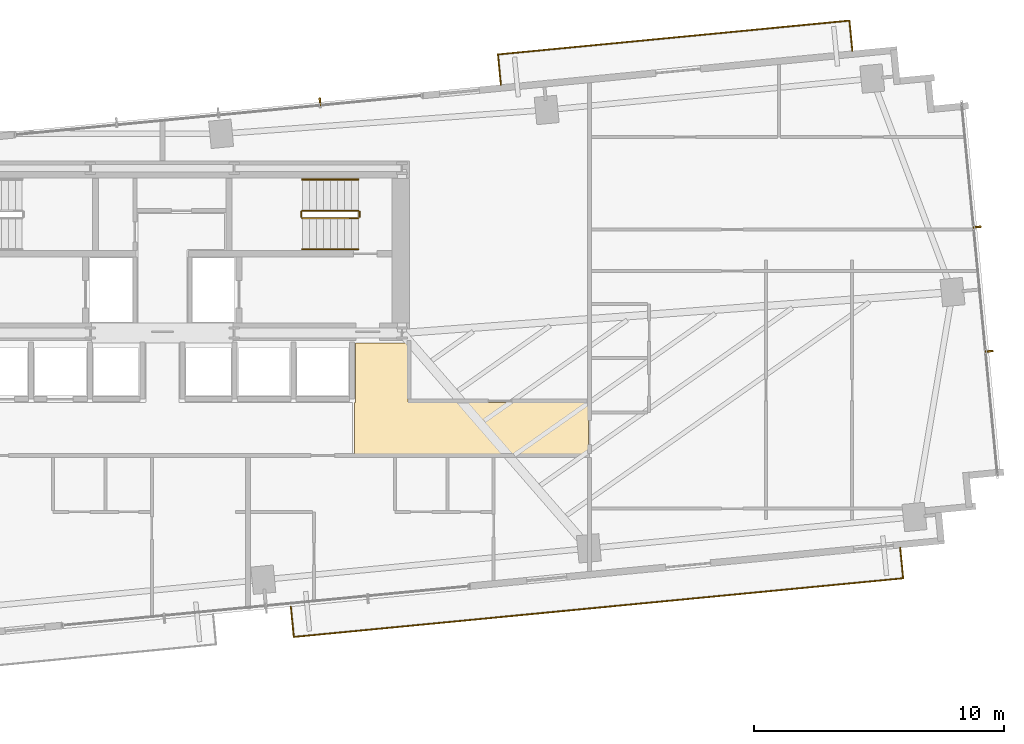
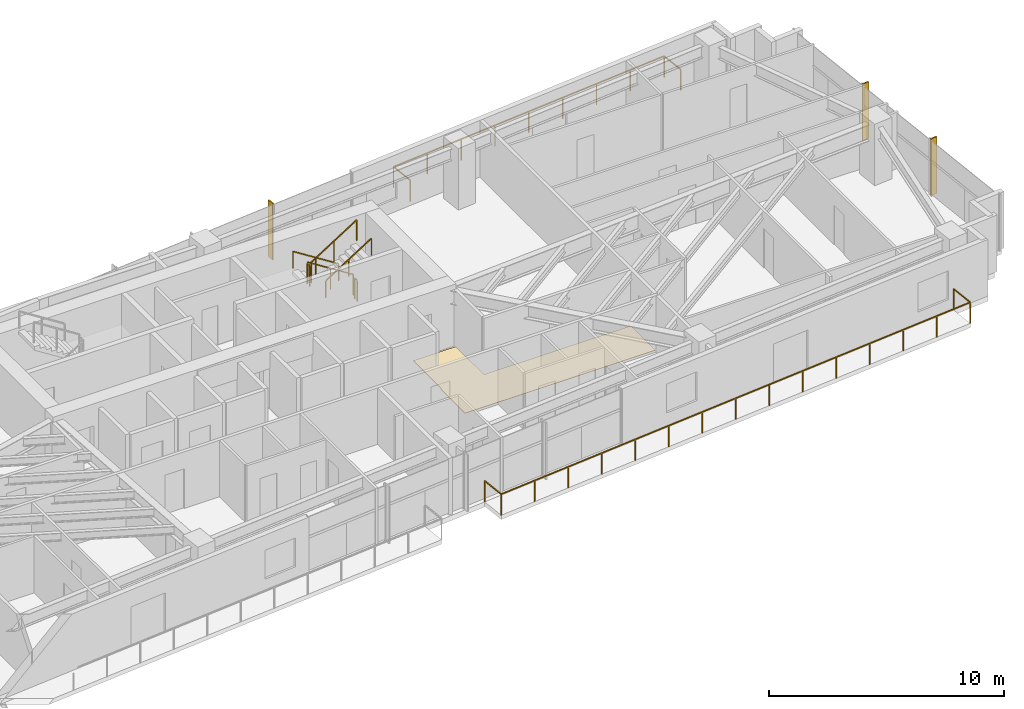
# One storey, part 27 of 27: 8 railings, 3 shading devices, 1 covering.
"""IFC4 building model written with IfcOpenShell, lengths in metres."""

from ifc_helpers import new_model, si_unit, direction, frame, origin, origin_2d, place, context, subcontext, project, spatial, polyline, rectangle, outline, extrude, source, transform, mapped, material, layer, layer_set, type_object, type_shapes, element, save


model = new_model("IFC4")

# Units and contexts
model_context = context("Model", 3, precision=1e-05, world=origin(), true_north=direction((0.0, 1.0)))
body_context = subcontext(model_context, "Body", "Model", "MODEL_VIEW")
ifc_project = project(units=[si_unit("LENGTHUNIT", "METRE"), si_unit("AREAUNIT", "SQUARE_METRE"), si_unit("VOLUMEUNIT", "CUBIC_METRE"), si_unit("PLANEANGLEUNIT", "RADIAN"), si_unit("MASSUNIT", "GRAM", prefix="KILO")], contexts=[model_context])

# Site, building, storey
site_placement = place(None, origin())
site = spatial("IfcSite", under=ifc_project, at=site_placement, CompositionType="ELEMENT")
building_placement = place(site_placement, origin())
building = spatial("IfcBuilding", under=site, at=building_placement, Name="Astriad Promenade Condominiums", CompositionType="ELEMENT")
storey_placement = place(building_placement, frame((0.0, 0.0, 90.60009765625)))
storey = spatial("IfcBuildingStorey", under=building, at=storey_placement, Name="L25", CompositionType="ELEMENT", Elevation=90.60009765625)

# Covering
ifc_material_1 = material(Name="Polished Lakefront Terrazzo Flooring")
ifc_layer = layer(ifc_material_1, 0.02001953125)
ifc_layer_set = layer_set([ifc_layer], Name="Polished Lakefront Terrazzo Flooring")
covering_type = type_object("IfcCoveringType", Name="COV-FLOR-TERRAZZO-20", PredefinedType="FLOORING", material=ifc_layer_set)
covering_placement = place(storey_placement, origin())
element("IfcCovering", 1, at=covering_placement, inside=storey, type_object=covering_type, Name="FLR-L25-COR-1", PredefinedType="FLOORING", context=body_context, shape_type="SweptSolid", body=[
    extrude(outline(polyline([(43.699951171875, 12.530029296875), (43.699951171875, 14.610107421875), (43.703857421875, 14.610107421875), (43.707763671875, 14.61083984375), (43.711669921875, 14.61181640625), (43.71533203125, 14.613037109375), (43.718994140625, 14.61474609375), (43.72216796875, 14.61669921875), (43.725341796875, 14.619140625), (43.728271484375, 14.62158203125), (43.73095703125, 14.62451171875), (43.7333984375, 14.627685546875), (43.7353515625, 14.631103515625), (43.737060546875, 14.634765625), (43.73828125, 14.638427734375), (43.7392578125, 14.64208984375), (43.73974609375, 14.64599609375), (43.739990234375, 14.64990234375), (43.739990234375, 17.010009765625), (45.840087890625, 17.010009765625), (45.840087890625, 14.659912109375), (45.840087890625, 14.656005859375), (45.8408203125, 14.652099609375), (45.841796875, 14.6484375), (45.843017578125, 14.644775390625), (45.8447265625, 14.64111328125), (45.8466796875, 14.6376953125), (45.84912109375, 14.634521484375), (45.851806640625, 14.631591796875), (45.8544921875, 14.629150390625), (45.85791015625, 14.626708984375), (45.861083984375, 14.624755859375), (45.86474609375, 14.623046875), (45.868408203125, 14.62158203125), (45.872314453125, 14.620849609375), (45.876220703125, 14.6201171875), (45.8798828125, 14.6201171875), (53.06005859375, 14.6201171875), (53.06005859375, 12.530029296875), (43.699951171875, 12.530029296875)])), origin(), (0.0, 0.0, 1.0), 0.02001953125),
])

# Shading devices
ifc_material_2 = material(Name="Anodised aluminium 6063-T6 Black Fin", Category="aluminium")
shading_device_type = type_object("IfcShadingDeviceType", Name="FIN-BLACK-320", PredefinedType="USERDEFINED", material=ifc_material_2)
shared_shape_1 = source(origin(), body_context, "Body", "SweptSolid", [
    extrude(rectangle(XDim=0.06494140625, YDim=0.320068359375, at=origin_2d()), origin(), (0.0, 0.0, 1.0), 2.93994140625),
])
type_shapes(shading_device_type, [shared_shape_1])
for number, where, z_axis, x_axis, name in (
    (2, (42.31689453125, 26.656494140625, 0.0), (0.0, 0.0, 1.0), (0.995396198367, 0.09584575252, 0.0), "CW-L25-N-FIN-03"),
    (3, (68.63330078125, 21.6455078125, 0.0), (0.0, 0.0, 1.0), (0.09584575252, -0.995396198367, 0.0), "CW-L25-E-FIN-01"),
    (4, (69.1123046875, 16.668701171875, 0.0), (0.0, 0.0, 1.0), (0.09584575252, -0.995396198367, 0.0), "CW-L25-E-FIN-02"),
):
    element("IfcShadingDevice", number, at=place(storey_placement, frame(where, z_axis=z_axis, x_axis=x_axis)), inside=storey, type_object=shading_device_type, Name=name, ObjectType="FIN", PredefinedType="USERDEFINED", context=body_context, shape_type="MappedRepresentation", body=[
        mapped(shared_shape_1, transform((0.0, 0.0, 0.0), scale=1.0)),
    ])

# Railings
ifc_material_3 = material(Name="Laminated Glass and Stainless Steel Balustrade", Category="steel")
railing_type_1 = type_object("IfcRailingType", Name="GRD-BALC-1120", PredefinedType="BALUSTRADE", material=ifc_material_3)
shared_shape_2 = source(origin(), body_context, "Body", "SweptSolid", [
    extrude(rectangle(XDim=0.048095703125, YDim=0.048095703125, at=origin_2d()), frame((0.0, 0.0, 1.09619140625), z_axis=(0.0958382164, -0.995396923984, 0.0), x_axis=(0.995396923984, 0.0958382164, 0.0)), (0.0, 0.0, 1.0), 1.22021484375),
    extrude(rectangle(XDim=0.048095703125, YDim=0.048095703125, at=origin_2d()), frame((0.116943359375, -1.214599609375, 1.09619140625), z_axis=(0.995395355209, 0.095854508653, 0.0), x_axis=(-0.095854508653, 0.995395355209, 0.0)), (0.0, 0.0, 1.0), 24.519775390625),
    extrude(rectangle(XDim=0.048095703125, YDim=0.048095703125, at=origin_2d()), frame((24.52392578125, 1.1357421875, 1.09619140625), z_axis=(-0.095857307208, 0.99539508571, 0.0), x_axis=(-0.99539508571, -0.095857307208, 0.0)), (0.0, 0.0, 1.0), 1.219970703125),
    extrude(rectangle(XDim=0.0419921875, YDim=0.0419921875, at=origin_2d()), origin(), (0.0, 0.0, 1.0), 1.072021484375),
    extrude(rectangle(XDim=0.0419921875, YDim=0.0419921875, at=origin_2d()), frame((0.116943359375, -1.214599609375, 0.0)), (0.0, 0.0, 1.0), 1.072021484375),
    extrude(rectangle(XDim=0.0419921875, YDim=0.0419921875, at=origin_2d()), frame((1.8603515625, -1.046630859375, 0.0)), (0.0, 0.0, 1.0), 1.072021484375),
    extrude(rectangle(XDim=0.0419921875, YDim=0.0419921875, at=origin_2d()), frame((3.603759765625, -0.87890625, 0.0)), (0.0, 0.0, 1.0), 1.072021484375),
    extrude(rectangle(XDim=0.0419921875, YDim=0.0419921875, at=origin_2d()), frame((5.346923828125, -0.7109375, 0.0)), (0.0, 0.0, 1.0), 1.072021484375),
    extrude(rectangle(XDim=0.0419921875, YDim=0.0419921875, at=origin_2d()), frame((7.09033203125, -0.54296875, 0.0)), (0.0, 0.0, 1.0), 1.072021484375),
    extrude(rectangle(XDim=0.0419921875, YDim=0.0419921875, at=origin_2d()), frame((8.833740234375, -0.375244140625, 0.0)), (0.0, 0.0, 1.0), 1.072021484375),
    extrude(rectangle(XDim=0.0419921875, YDim=0.0419921875, at=origin_2d()), frame((10.5771484375, -0.207275390625, 0.0)), (0.0, 0.0, 1.0), 1.072021484375),
    extrude(rectangle(XDim=0.0419921875, YDim=0.0419921875, at=origin_2d()), frame((12.3203125, -0.03955078125, 0.0)), (0.0, 0.0, 1.0), 1.072021484375),
    extrude(rectangle(XDim=0.0419921875, YDim=0.0419921875, at=origin_2d()), frame((14.063720703125, 0.12841796875, 0.0)), (0.0, 0.0, 1.0), 1.072021484375),
    extrude(rectangle(XDim=0.0419921875, YDim=0.0419921875, at=origin_2d()), frame((15.80712890625, 0.29638671875, 0.0)), (0.0, 0.0, 1.0), 1.072021484375),
    extrude(rectangle(XDim=0.0419921875, YDim=0.0419921875, at=origin_2d()), frame((17.550537109375, 0.464111328125, 0.0)), (0.0, 0.0, 1.0), 1.072021484375),
    extrude(rectangle(XDim=0.0419921875, YDim=0.0419921875, at=origin_2d()), frame((19.2939453125, 0.632080078125, 0.0)), (0.0, 0.0, 1.0), 1.072021484375),
    extrude(rectangle(XDim=0.0419921875, YDim=0.0419921875, at=origin_2d()), frame((21.037109375, 0.800048828125, 0.0)), (0.0, 0.0, 1.0), 1.072021484375),
    extrude(rectangle(XDim=0.0419921875, YDim=0.0419921875, at=origin_2d()), frame((22.780517578125, 0.9677734375, 0.0)), (0.0, 0.0, 1.0), 1.072021484375),
    extrude(rectangle(XDim=0.0419921875, YDim=0.0419921875, at=origin_2d()), frame((24.52392578125, 1.1357421875, 0.0)), (0.0, 0.0, 1.0), 1.072021484375),
    extrude(rectangle(XDim=0.0419921875, YDim=0.0419921875, at=origin_2d()), frame((24.406982421875, 2.35009765625, 0.0)), (0.0, 0.0, 1.0), 1.072021484375),
])
railing_1_placement = place(storey_placement, frame((41.14794921875, 6.44140625, 0.0)))
element("IfcRailing", 5, at=railing_1_placement, inside=storey, type_object=railing_type_1, Name="GRD-BALC-L25-SE", PredefinedType="BALUSTRADE", context=body_context, shape_type="MappedRepresentation", body=[
    mapped(shared_shape_2, transform((0.0, 0.0, 0.0), scale=1.0)),
])
shared_shape_3 = source(origin(), body_context, "Body", "SweptSolid", [
    extrude(rectangle(XDim=0.048095703125, YDim=0.048095703125, at=origin_2d()), frame((0.0, 0.0, 1.09619140625), z_axis=(-0.096055582315, 0.995375971734, 0.0), x_axis=(-0.995375971734, -0.096055582315, 0.0)), (0.0, 0.0, 1.0), 1.219970703125),
    extrude(rectangle(XDim=0.048095703125, YDim=0.048095703125, at=origin_2d()), frame((-0.1171875, 1.21435546875, 1.09619140625), z_axis=(-0.995395546623, -0.095852520903, 0.0), x_axis=(0.095852520903, -0.995395546623, 0.0)), (0.0, 0.0, 1.0), 14.143798828125),
    extrude(rectangle(XDim=0.048095703125, YDim=0.048095703125, at=origin_2d()), frame((-14.19580078125, -0.141357421875, 1.09619140625), z_axis=(0.095659020692, -0.99541416092, 0.0), x_axis=(0.99541416092, 0.095659020692, 0.0)), (0.0, 0.0, 1.0), 1.219970703125),
    extrude(rectangle(XDim=0.0419921875, YDim=0.0419921875, at=origin_2d()), origin(), (0.0, 0.0, 1.0), 1.072021484375),
    extrude(rectangle(XDim=0.0419921875, YDim=0.0419921875, at=origin_2d()), frame((-0.1171875, 1.21435546875, 0.0)), (0.0, 0.0, 1.0), 1.072021484375),
    extrude(rectangle(XDim=0.0419921875, YDim=0.0419921875, at=origin_2d()), frame((-1.876953125, 1.044921875, 0.0)), (0.0, 0.0, 1.0), 1.072021484375),
    extrude(rectangle(XDim=0.0419921875, YDim=0.0419921875, at=origin_2d()), frame((-3.63671875, 0.87548828125, 0.0)), (0.0, 0.0, 1.0), 1.072021484375),
    extrude(rectangle(XDim=0.0419921875, YDim=0.0419921875, at=origin_2d()), frame((-5.396728515625, 0.7060546875, 0.0)), (0.0, 0.0, 1.0), 1.072021484375),
    extrude(rectangle(XDim=0.0419921875, YDim=0.0419921875, at=origin_2d()), frame((-7.156494140625, 0.53662109375, 0.0)), (0.0, 0.0, 1.0), 1.072021484375),
    extrude(rectangle(XDim=0.0419921875, YDim=0.0419921875, at=origin_2d()), frame((-8.916259765625, 0.366943359375, 0.0)), (0.0, 0.0, 1.0), 1.072021484375),
    extrude(rectangle(XDim=0.0419921875, YDim=0.0419921875, at=origin_2d()), frame((-10.67626953125, 0.197509765625, 0.0)), (0.0, 0.0, 1.0), 1.072021484375),
    extrude(rectangle(XDim=0.0419921875, YDim=0.0419921875, at=origin_2d()), frame((-12.43603515625, 0.028076171875, 0.0)), (0.0, 0.0, 1.0), 1.072021484375),
    extrude(rectangle(XDim=0.0419921875, YDim=0.0419921875, at=origin_2d()), frame((-14.19580078125, -0.141357421875, 0.0)), (0.0, 0.0, 1.0), 1.072021484375),
    extrude(rectangle(XDim=0.0419921875, YDim=0.0419921875, at=origin_2d()), frame((-14.0791015625, -1.355712890625, 0.0)), (0.0, 0.0, 1.0), 1.072021484375),
])
type_shapes(railing_type_1, [shared_shape_2, shared_shape_3])
railing_2_placement = place(storey_placement, frame((63.63818359375, 28.699462890625, 0.0)))
element("IfcRailing", 6, at=railing_2_placement, inside=storey, type_object=railing_type_1, Name="GRD-BALC-L25-NE", PredefinedType="BALUSTRADE", context=body_context, shape_type="MappedRepresentation", body=[
    mapped(shared_shape_3, transform((0.0, 0.0, 0.0), scale=1.0)),
])
ifc_material_4 = material(Name="Painted Galvanised Steel Guardrail", Category="steel")
railing_type_2 = type_object("IfcRailingType", Name="GRD-STAIR-1100", PredefinedType="GUARDRAIL", material=ifc_material_4)
shared_shape_4 = source(origin(), body_context, "Body", "SweptSolid", [
    extrude(rectangle(XDim=0.048095703125, YDim=0.048095703125, at=origin_2d()), frame((0.0, 0.0, 1.076171875), z_axis=(0.84418770128, 0.0, 0.536047689118), x_axis=(0.0, 1.0, 0.0)), (0.0, 0.0, 1.0), 2.6533203125),
    extrude(rectangle(XDim=0.0419921875, YDim=0.0419921875, at=origin_2d()), origin(), (0.0, 0.0, 1.0), 1.052001953125),
    extrude(rectangle(XDim=0.0419921875, YDim=0.0419921875, at=origin_2d()), frame((1.1201171875, 0.0, 0.711181640625)), (0.0, 0.0, 1.0), 1.052001953125),
    extrude(rectangle(XDim=0.0419921875, YDim=0.0419921875, at=origin_2d()), frame((2.239990234375, 0.0, 1.42236328125)), (0.0, 0.0, 1.0), 1.052001953125),
])
railing_3_placement = place(storey_placement, frame((41.610107421875, 22.0, 1.777587890625)))
element("IfcRailing", 7, at=railing_3_placement, inside=storey, type_object=railing_type_2, Name="L25 ST-2 stair guard 3", PredefinedType="GUARDRAIL", context=body_context, shape_type="MappedRepresentation", body=[
    mapped(shared_shape_4, transform((0.0, 0.0, 0.0), scale=1.0)),
])
shared_shape_5 = source(origin(), body_context, "Body", "SweptSolid", [
    extrude(rectangle(XDim=0.048095703125, YDim=0.048095703125, at=origin_2d()), frame((0.0, 0.0, 1.076171875), z_axis=(-0.8442293374, 0.0, 0.53598211339), x_axis=(0.0, -1.0, 0.0)), (0.0, 0.0, 1.0), 2.6533203125),
    extrude(rectangle(XDim=0.0419921875, YDim=0.0419921875, at=origin_2d()), origin(), (0.0, 0.0, 1.0), 1.052001953125),
    extrude(rectangle(XDim=0.0419921875, YDim=0.0419921875, at=origin_2d()), frame((-1.1201171875, 0.0, 0.7109375)), (0.0, 0.0, 1.0), 1.052001953125),
    extrude(rectangle(XDim=0.0419921875, YDim=0.0419921875, at=origin_2d()), frame((-2.239990234375, 0.0, 1.422119140625)), (0.0, 0.0, 1.0), 1.052001953125),
])
railing_4_placement = place(storey_placement, frame((43.85009765625, 22.300048828125, 0.177734375)))
element("IfcRailing", 8, at=railing_4_placement, inside=storey, type_object=railing_type_2, Name="L25 ST-2 stair guard 1", PredefinedType="GUARDRAIL", context=body_context, shape_type="MappedRepresentation", body=[
    mapped(shared_shape_5, transform((0.0, 0.0, 0.0), scale=1.0)),
])
ifc_material_5 = material(Name="Brushed Stainless Steel Handrail", Category="steel")
railing_type_3 = type_object("IfcRailingType", Name="HRL-STAIR-920", PredefinedType="HANDRAIL", material=ifc_material_5)
shared_shape_6 = source(origin(), body_context, "Body", "SweptSolid", [
    extrude(rectangle(XDim=0.048095703125, YDim=0.048095703125, at=origin_2d()), frame((0.0, 0.0, 0.8759765625), z_axis=(0.84418770128, 0.0, 0.536047689118), x_axis=(0.0, 1.0, 0.0)), (0.0, 0.0, 1.0), 2.6533203125),
    extrude(rectangle(XDim=0.0419921875, YDim=0.0419921875, at=origin_2d()), origin(), (0.0, 0.0, 1.0), 0.851806640625),
    extrude(rectangle(XDim=0.0419921875, YDim=0.0419921875, at=origin_2d()), frame((1.1201171875, 0.0, 0.711181640625)), (0.0, 0.0, 1.0), 0.851806640625),
    extrude(rectangle(XDim=0.0419921875, YDim=0.0419921875, at=origin_2d()), frame((2.239990234375, 0.0, 1.42236328125)), (0.0, 0.0, 1.0), 0.851806640625),
])
railing_5_placement = place(storey_placement, frame((41.610107421875, 20.75, 1.777587890625)))
element("IfcRailing", 9, at=railing_5_placement, inside=storey, type_object=railing_type_3, Name="L25 ST-2 stair handrail 2", PredefinedType="HANDRAIL", context=body_context, shape_type="MappedRepresentation", body=[
    mapped(shared_shape_6, transform((0.0, 0.0, 0.0), scale=1.0)),
])
shared_shape_7 = source(origin(), body_context, "Body", "SweptSolid", [
    extrude(rectangle(XDim=0.048095703125, YDim=0.048095703125, at=origin_2d()), frame((0.0, 0.0, 0.8759765625), z_axis=(-0.8442293374, 0.0, 0.53598211339), x_axis=(0.0, -1.0, 0.0)), (0.0, 0.0, 1.0), 2.6533203125),
    extrude(rectangle(XDim=0.0419921875, YDim=0.0419921875, at=origin_2d()), origin(), (0.0, 0.0, 1.0), 0.851806640625),
    extrude(rectangle(XDim=0.0419921875, YDim=0.0419921875, at=origin_2d()), frame((-1.1201171875, 0.0, 0.7109375)), (0.0, 0.0, 1.0), 0.851806640625),
    extrude(rectangle(XDim=0.0419921875, YDim=0.0419921875, at=origin_2d()), frame((-2.239990234375, 0.0, 1.422119140625)), (0.0, 0.0, 1.0), 0.851806640625),
])
type_shapes(railing_type_3, [shared_shape_6, shared_shape_7])
railing_6_placement = place(storey_placement, frame((43.85009765625, 23.550048828125, 0.177734375)))
element("IfcRailing", 10, at=railing_6_placement, inside=storey, type_object=railing_type_3, Name="L25 ST-2 stair handrail 1", PredefinedType="HANDRAIL", context=body_context, shape_type="MappedRepresentation", body=[
    mapped(shared_shape_7, transform((0.0, 0.0, 0.0), scale=1.0)),
])
shared_shape_8 = source(origin(), body_context, "Body", "SweptSolid", [
    extrude(rectangle(XDim=0.048095703125, YDim=0.048095703125, at=origin_2d()), frame((0.0, 0.0, 1.076171875), z_axis=(0.0, -1.0, 0.0), x_axis=(1.0, 0.0, 0.0)), (0.0, 0.0, 1.0), 0.199951171875),
    extrude(rectangle(XDim=0.0419921875, YDim=0.0419921875, at=origin_2d()), origin(), (0.0, 0.0, 1.0), 1.052001953125),
    extrude(rectangle(XDim=0.0419921875, YDim=0.0419921875, at=origin_2d()), frame((0.0, -0.199951171875, 0.0)), (0.0, 0.0, 1.0), 1.052001953125),
])
type_shapes(railing_type_2, [shared_shape_4, shared_shape_5, shared_shape_8])
for number, where, name in (
    (11, (41.56005859375, 22.25, 1.599853515625), "L25 ST-2 stair guard 2"),
    (12, (43.89990234375, 22.25, 0.0), "L25 ST-2 stair guard 4"),
):
    element("IfcRailing", number, at=place(storey_placement, frame(where)), inside=storey, type_object=railing_type_2, Name=name, PredefinedType="GUARDRAIL", context=body_context, shape_type="MappedRepresentation", body=[
        mapped(shared_shape_8, transform((0.0, 0.0, 0.0), scale=1.0)),
    ])

save(model, "model.ifc")
